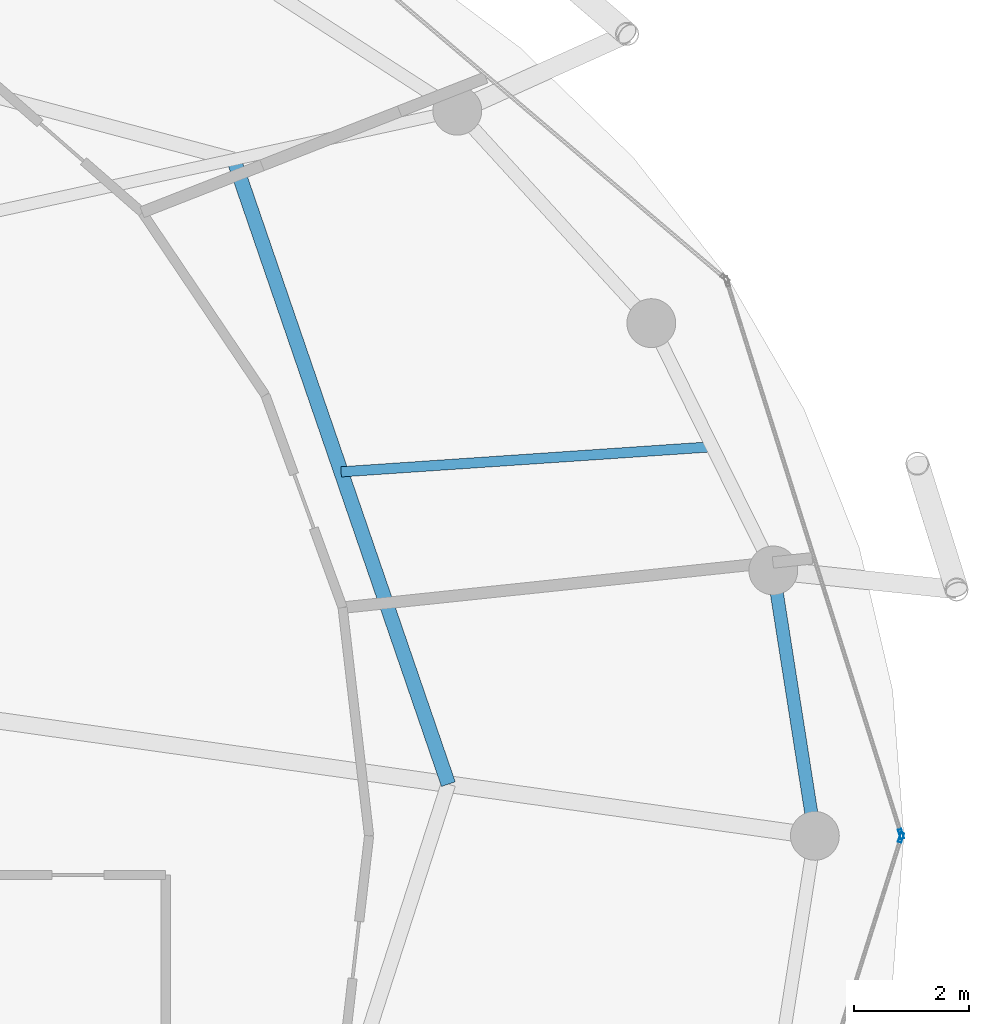
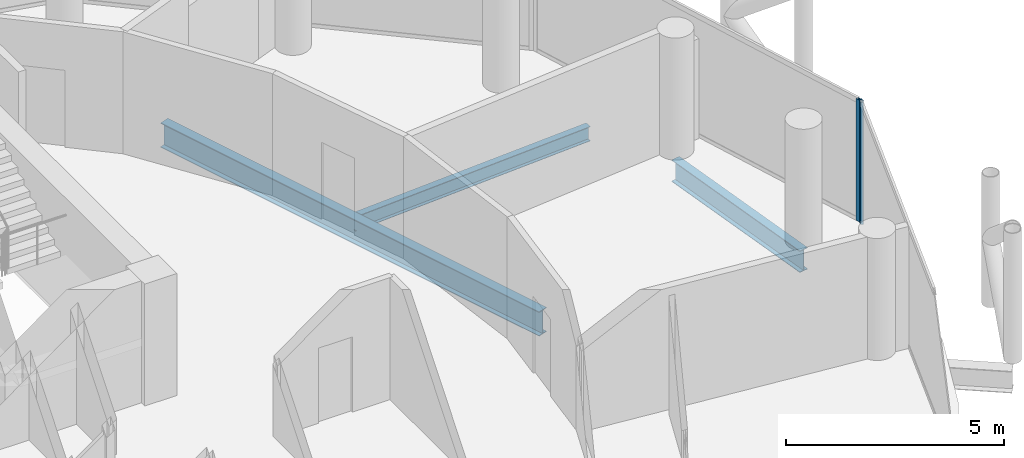
# One storey, part 15 of 27: 3 beams, 2 members, 2 elements without a shape of their own.
"""IFC4 building model written with IfcOpenShell, lengths in metres."""

from ifc_helpers import new_model, si_unit, direction, frame, origin, origin_2d, place, context, subcontext, project, spatial, hollow_rectangle, i_section, extrude, material, layer, layer_set, material_profile, profile_set, type_object, element, aggregate, save


model = new_model("IFC4")

# Units and contexts
model_context = context("Model", 3, precision=1e-05, world=origin(), true_north=direction((0.0, 1.0)))
body_context = subcontext(model_context, "Body", "Model", "MODEL_VIEW")
ifc_project = project(units=[si_unit("LENGTHUNIT", "METRE"), si_unit("AREAUNIT", "SQUARE_METRE"), si_unit("VOLUMEUNIT", "CUBIC_METRE"), si_unit("PLANEANGLEUNIT", "RADIAN"), si_unit("MASSUNIT", "GRAM", prefix="KILO")], contexts=[model_context])

# Site, building, storey
site_placement = place(None, origin())
site = spatial("IfcSite", under=ifc_project, at=site_placement, CompositionType="ELEMENT")
building_placement = place(site_placement, origin())
building = spatial("IfcBuilding", under=site, at=building_placement, Name="Nuhasar Tower", CompositionType="ELEMENT")
storey_placement = place(building_placement, frame((0.0, 0.0, 241.0)))
storey = spatial("IfcBuildingStorey", under=building, at=storey_placement, Name="L59", CompositionType="ELEMENT", Elevation=241.0)

# Beams
ifc_material_1 = material(Name="Steel S355", Category="steel")
ifc_material_profile_1 = material_profile(ifc_material_1, i_section(OverallWidth=0.25390625, OverallDepth=0.68408203125, WebThickness=0.012451171875, FlangeThickness=0.018798828125, at=origin_2d()), Name="W27X94")
ifc_profile_set_1 = profile_set([ifc_material_profile_1], Name="Steel S355")
beam_type_1 = type_object("IfcBeamType", Name="BM-INRING-W27X94", PredefinedType="BEAM", material=ifc_profile_set_1)
beam_1_placement = place(storey_placement, frame((53.8701171875, 27.699951171875, -0.58203125), z_axis=(-0.324809117642, 0.945779592239, 0.0), x_axis=(-0.945779592239, -0.324809117642, 0.0)))
element("IfcBeam", 1, at=beam_1_placement, inside=storey, type_object=beam_type_1, Name="L59 Inner Header Beam 04", PredefinedType="BEAM", context=body_context, shape_type="SweptSolid", body=[
    extrude(i_section(OverallWidth=0.25390625, OverallDepth=0.68408203125, WebThickness=0.012451171875, FlangeThickness=0.018798828125, at=origin_2d()), origin(), (0.0, 0.0, 1.0), 11.496337890625),
])
ifc_material_profile_2 = material_profile(ifc_material_1, i_section(OverallWidth=0.177978515625, OverallDepth=0.406005859375, WebThickness=0.0078125, FlangeThickness=0.0126953125, at=origin_2d()), Name="W16X40")
ifc_profile_set_2 = profile_set([ifc_material_profile_2], Name="Steel S355")
beam_type_2 = type_object("IfcBeamType", Name="BM-JST-W16X40", PredefinedType="JOIST", material=ifc_profile_set_2)
beam_2_placement = place(storey_placement, frame((52.0029296875, 33.135986328125, -0.443115234375), z_axis=(0.997721156568, 0.067472170095, 0.0), x_axis=(-0.067472170095, 0.997721156568, 0.0)))
element("IfcBeam", 2, at=beam_2_placement, inside=storey, type_object=beam_type_2, Name="L59 Secondary Floor Joist 04", PredefinedType="JOIST", context=body_context, shape_type="SweptSolid", body=[
    extrude(i_section(OverallWidth=0.177978515625, OverallDepth=0.406005859375, WebThickness=0.0078125, FlangeThickness=0.0126953125, at=origin_2d()), origin(), (0.0, 0.0, 1.0), 6.476806640625),
])
ifc_material_profile_3 = material_profile(ifc_material_1, i_section(OverallWidth=0.22802734375, OverallDepth=0.60791015625, WebThickness=0.01123046875, FlangeThickness=0.017333984375, at=origin_2d()), Name="W24X76")
ifc_profile_set_3 = profile_set([ifc_material_profile_3], Name="Steel S355")
beam_type_3 = type_object("IfcBeamType", Name="BM-RING-W24X76", PredefinedType="SPANDREL", material=ifc_profile_set_3)
beam_3_placement = place(storey_placement, frame((60.25, 26.800048828125, -0.5439453125), z_axis=(-0.154849872935, 0.987938012657, 0.0), x_axis=(-0.987938012657, -0.154849872935, 0.0)))
element("IfcBeam", 3, at=beam_3_placement, inside=storey, type_object=beam_type_3, Name="L59 Perimeter Ring Spandrel 01", PredefinedType="SPANDREL", context=body_context, shape_type="SweptSolid", body=[
    extrude(i_section(OverallWidth=0.22802734375, OverallDepth=0.60791015625, WebThickness=0.01123046875, FlangeThickness=0.017333984375, at=origin_2d()), origin(), (0.0, 0.0, 1.0), 4.67626953125),
])

# Curtain wall, member
ifc_material_2 = material(Name="Aluminium 6063-T6", Category="aluminium")
ifc_layer = layer(ifc_material_2, 0.18994140625)
ifc_layer_set = layer_set([ifc_layer], Name="Aluminium 6063-T6")
curtain_wall_type = type_object("IfcCurtainWallType", Name="CW-Z3-RES", PredefinedType="NOTDEFINED", material=ifc_layer_set)
curtain_wall_1_placement = place(storey_placement, origin())
curtain_wall_1 = element("IfcCurtainWall", 4, at=curtain_wall_1_placement, inside=storey, type_object=curtain_wall_type, Name="L59 Unitised Curtain Wall 01", PredefinedType="NOTDEFINED")
ifc_material_profile_4 = material_profile(ifc_material_2, hollow_rectangle(XDim=0.06494140625, YDim=0.169921875, WallThickness=0.0048828125, at=origin_2d()), Name="CWM-4")
ifc_profile_set_4 = profile_set([ifc_material_profile_4], Name="Aluminium 6063-T6")
member_type = type_object("IfcMemberType", Name="CW-MUL-S4", PredefinedType="MULLION", material=ifc_profile_set_4)
member_1_placement = place(storey_placement, frame((61.750244140625, 26.8310546875, 0.0), z_axis=(0.0, 0.0, 1.0), x_axis=(-0.95380429279, -0.30042864553, 0.0)))
member_1 = element("IfcMember", 5, at=member_1_placement, type_object=member_type, Name="CW-Z3 mullion 1", PredefinedType="MULLION", context=body_context, shape_type="SweptSolid", body=[
    extrude(hollow_rectangle(XDim=0.06494140625, YDim=0.169921875, WallThickness=0.0048828125, at=origin_2d()), origin(), (0.0, 0.0, 1.0), 3.409912109375),
])
aggregate(curtain_wall_1, [member_1])

curtain_wall_2_placement = place(storey_placement, origin())
curtain_wall_2 = element("IfcCurtainWall", 6, at=curtain_wall_2_placement, inside=storey, type_object=curtain_wall_type, Name="L59 Unitised Curtain Wall 12", PredefinedType="NOTDEFINED")
member_2_placement = place(storey_placement, frame((61.750244140625, 26.76904296875, 0.0), z_axis=(0.0, 0.0, 1.0), x_axis=(-0.95380429279, 0.30042864553, 0.0)))
member_2 = element("IfcMember", 7, at=member_2_placement, type_object=member_type, Name="CW-Z3 mullion 2", PredefinedType="MULLION", context=body_context, shape_type="SweptSolid", body=[
    extrude(hollow_rectangle(XDim=0.06494140625, YDim=0.169921875, WallThickness=0.0048828125, at=origin_2d()), origin(), (0.0, 0.0, 1.0), 3.409912109375),
])
aggregate(curtain_wall_2, [member_2])

save(model, "model.ifc")
